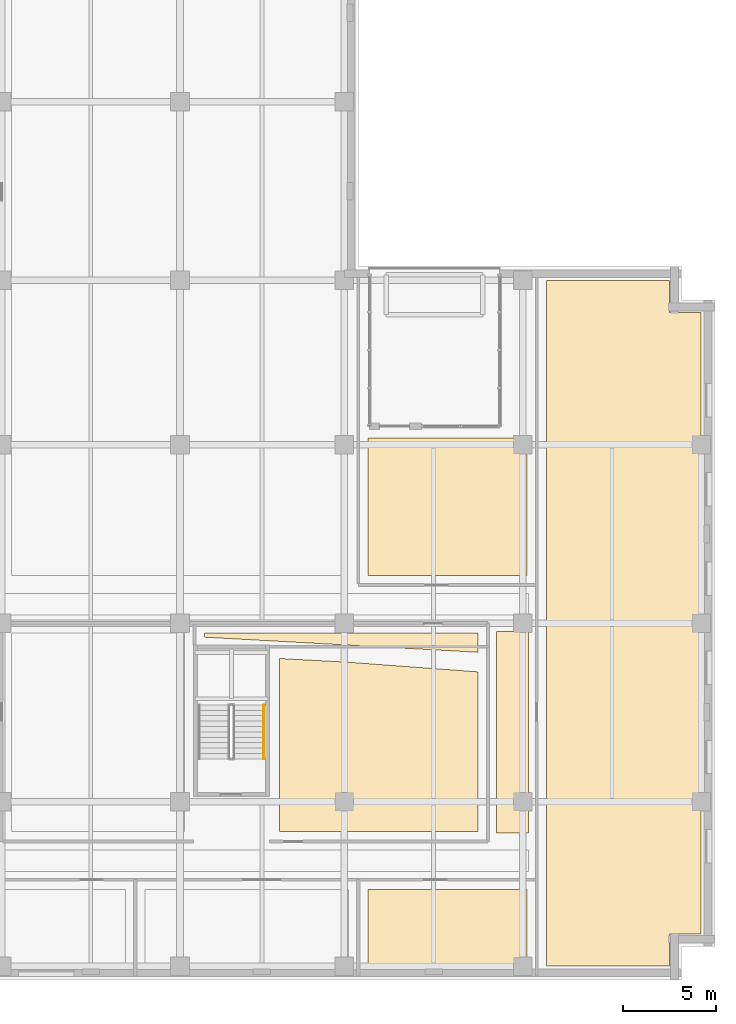
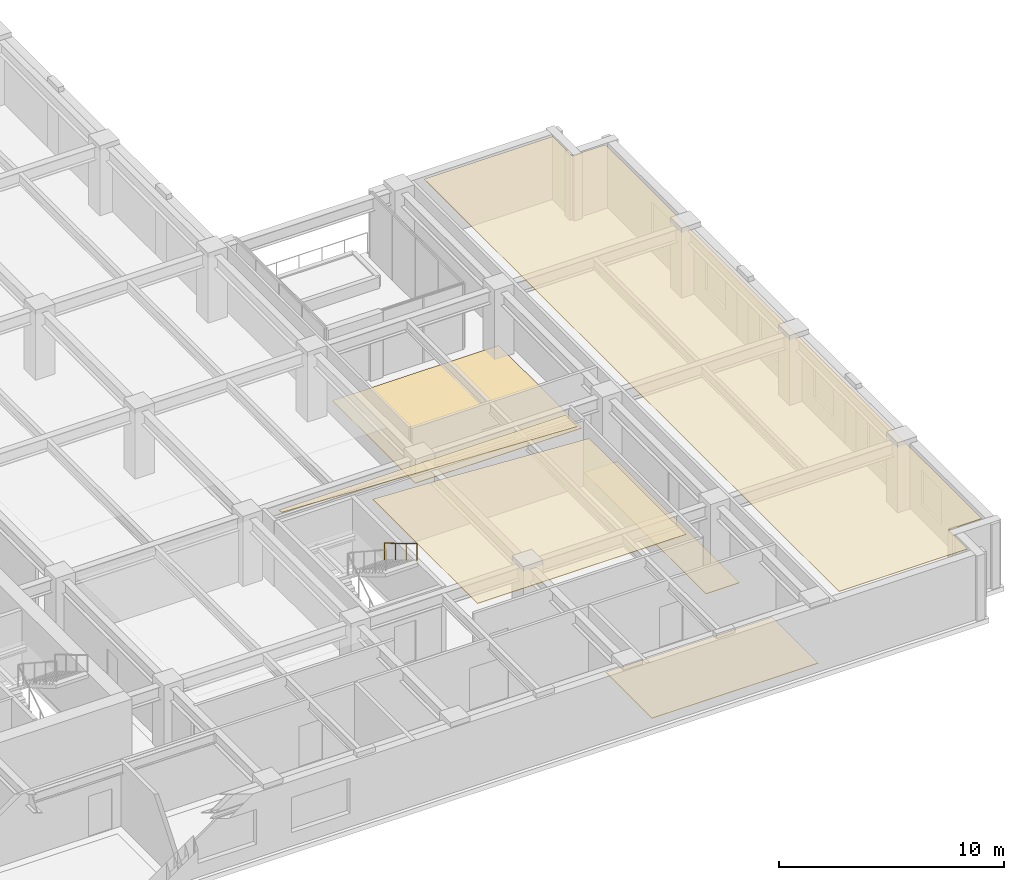
# One storey, part 13 of 16: 6 coverings, 1 railing.
"""IFC4 building model written with IfcOpenShell, lengths in metres."""

from ifc_helpers import new_model, si_unit, direction, frame, origin, origin_2d, place, context, subcontext, project, spatial, polyline, circle, outline, extrude, material, layer, layer_set, type_object, element, save


model = new_model("IFC4")

# Units and contexts
model_context = context("Model", 3, precision=1e-05, world=origin(), true_north=direction((0.0, 1.0)))
body_context = subcontext(model_context, "Body", "Model", "MODEL_VIEW")
ifc_project = project(units=[si_unit("LENGTHUNIT", "METRE"), si_unit("AREAUNIT", "SQUARE_METRE"), si_unit("VOLUMEUNIT", "CUBIC_METRE"), si_unit("PLANEANGLEUNIT", "RADIAN"), si_unit("MASSUNIT", "GRAM", prefix="KILO")], contexts=[model_context])

# Site, building, storey
site_placement = place(None, origin())
site = spatial("IfcSite", under=ifc_project, at=site_placement, CompositionType="ELEMENT")
building_placement = place(site_placement, origin())
building = spatial("IfcBuilding", under=site, at=building_placement, Name="Norrvale University Quadrangle", CompositionType="ELEMENT")
storey_placement = place(building_placement, frame((0.0, 0.0, 112.800048828125)))
storey = spatial("IfcBuildingStorey", under=building, at=storey_placement, Name="L28", CompositionType="ELEMENT", Elevation=112.800048828125)

# Coverings
ifc_material_1 = material(Name="Perforated Acoustic Mineral Ceiling")
ifc_layer_1 = layer(ifc_material_1, 0.02490234375, Name="Perforated Acoustic Mineral Ceiling")
ifc_layer_set_1 = layer_set([ifc_layer_1], Name="Perforated Acoustic Mineral Ceiling")
covering_type_1 = type_object("IfcCoveringType", Name="Covering Acoustic Ceiling 25", PredefinedType="CEILING", material=ifc_layer_set_1)
covering_1_placement = place(storey_placement, frame((0.0, 0.0, 3.514892578125)))
element("IfcCovering", 1, at=covering_1_placement, inside=storey, type_object=covering_type_1, Name="Acoustic Ceiling RM-L28-E01", PredefinedType="CEILING", context=body_context, shape_type="SweptSolid", body=[
    extrude(outline(polyline([(48.530029296875, 37.64990234375), (55.1298828125, 37.64990234375), (55.1298828125, 35.929931640625), (56.85009765625, 35.929931640625), (56.85009765625, 2.469970703125), (55.1298828125, 2.469970703125), (55.1298828125, 0.75), (48.530029296875, 0.75), (48.530029296875, 37.64990234375)])), origin(), (0.0, 0.0, 1.0), 0.025146484375),
])
covering_2_placement = place(storey_placement, frame((0.0, 0.0, 3.514892578125)))
element("IfcCovering", 2, at=covering_2_placement, inside=storey, type_object=covering_type_1, Name="Acoustic Ceiling RM-L28-ILH", PredefinedType="CEILING", context=body_context, shape_type="SweptSolid", body=[
    extrude(outline(polyline([(30.1298828125, 18.446044921875), (30.1298828125, 18.669921875), (44.844970703125, 18.669921875), (44.844970703125, 17.635009765625), (30.1298828125, 18.446044921875)])), origin(), (0.0, 0.0, 1.0), 0.025146484375),
])
covering_3_placement = place(storey_placement, frame((0.0, 0.0, 3.514892578125)))
element("IfcCovering", 3, at=covering_3_placement, inside=storey, type_object=covering_type_1, Name="Acoustic Ceiling RM-L28-ISE", PredefinedType="CEILING", context=body_context, shape_type="SweptSolid", body=[
    extrude(outline(polyline([(44.844970703125, 16.58203125), (44.844970703125, 7.97998046875), (34.14990234375, 7.97998046875), (34.14990234375, 17.303955078125), (37.93603515625, 17.094970703125), (44.844970703125, 16.58203125)])), origin(), (0.0, 0.0, 1.0), 0.025146484375),
])
ifc_material_2 = material(Name="Polished Terrazzo Flooring")
ifc_layer_2 = layer(ifc_material_2, 0.02490234375, Name="Polished Terrazzo Flooring")
ifc_layer_set_2 = layer_set([ifc_layer_2], Name="Polished Terrazzo Flooring")
covering_type_2 = type_object("IfcCoveringType", Name="Covering Terrazzo Floor 30", PredefinedType="FLOORING", material=ifc_layer_set_2)
covering_4_placement = place(storey_placement, origin())
element("IfcCovering", 4, at=covering_4_placement, inside=storey, type_object=covering_type_2, Name="Terrazzo Flooring RM-L28-CORR2", PredefinedType="FLOORING", context=body_context, shape_type="SweptSolid", body=[
    extrude(outline(polyline([(45.824951171875, 7.89990234375), (45.824951171875, 18.75), (47.550048828125, 18.75), (47.550048828125, 7.89990234375), (45.824951171875, 7.89990234375)])), origin(), (0.0, 0.0, 1.0), 0.02490234375),
])
covering_5_placement = place(storey_placement, origin())
element("IfcCovering", 5, at=covering_5_placement, inside=storey, type_object=covering_type_2, Name="Terrazzo Flooring RM-L28-S04", PredefinedType="FLOORING", context=body_context, shape_type="SweptSolid", body=[
    extrude(outline(polyline([(47.469970703125, 4.8701171875), (47.469970703125, 0.75), (38.929931640625, 0.75), (38.929931640625, 4.8701171875), (47.469970703125, 4.8701171875)])), origin(), (0.0, 0.0, 1.0), 0.02490234375),
])
covering_6_placement = place(storey_placement, origin())
element("IfcCovering", 6, at=covering_6_placement, inside=storey, type_object=covering_type_2, Name="Terrazzo Flooring RM-L28-SGLNG", PredefinedType="FLOORING", context=body_context, shape_type="SweptSolid", body=[
    extrude(outline(polyline([(38.929931640625, 21.780029296875), (38.929931640625, 29.169921875), (47.469970703125, 29.169921875), (47.469970703125, 21.780029296875), (38.929931640625, 21.780029296875)])), origin(), (0.0, 0.0, 1.0), 0.02490234375),
])

# Railing
ifc_material_3 = material(Name="Stainless Steel 316L Handrail", Category="steel")
railing_type = type_object("IfcRailingType", Name="Railing Stair Handrail 920", PredefinedType="HANDRAIL", material=ifc_material_3)
railing_placement = place(storey_placement, frame((33.31005859375, 14.800048828125, 2.07275390625)))
element("IfcRailing", 7, at=railing_placement, inside=storey, type_object=railing_type, Name="Stair Upper Flight Handrail ST-04 L28", PredefinedType="HANDRAIL", context=body_context, shape_type="SweptSolid", body=[
    extrude(circle(Radius=0.02392578125, at=origin_2d()), frame((0.0, 0.0, 0.89599609375), z_axis=(0.0, -0.859160404282, 0.51170636083), x_axis=(1.0, 0.0, 0.0)), (0.0, 0.0, 1.0), 3.37548828125),
    extrude(circle(Radius=0.02099609375, at=origin_2d()), origin(), (0.0, 0.0, 1.0), 0.871826171875),
    extrude(circle(Radius=0.02099609375, at=origin_2d()), frame((0.0, -0.966796875, 0.57568359375)), (0.0, 0.0, 1.0), 0.871826171875),
    extrude(circle(Radius=0.02099609375, at=origin_2d()), frame((0.0, -1.933349609375, 1.151611328125)), (0.0, 0.0, 1.0), 0.871826171875),
    extrude(circle(Radius=0.02099609375, at=origin_2d()), frame((0.0, -2.900146484375, 1.727294921875)), (0.0, 0.0, 1.0), 0.871826171875),
])

save(model, "model.ifc")
